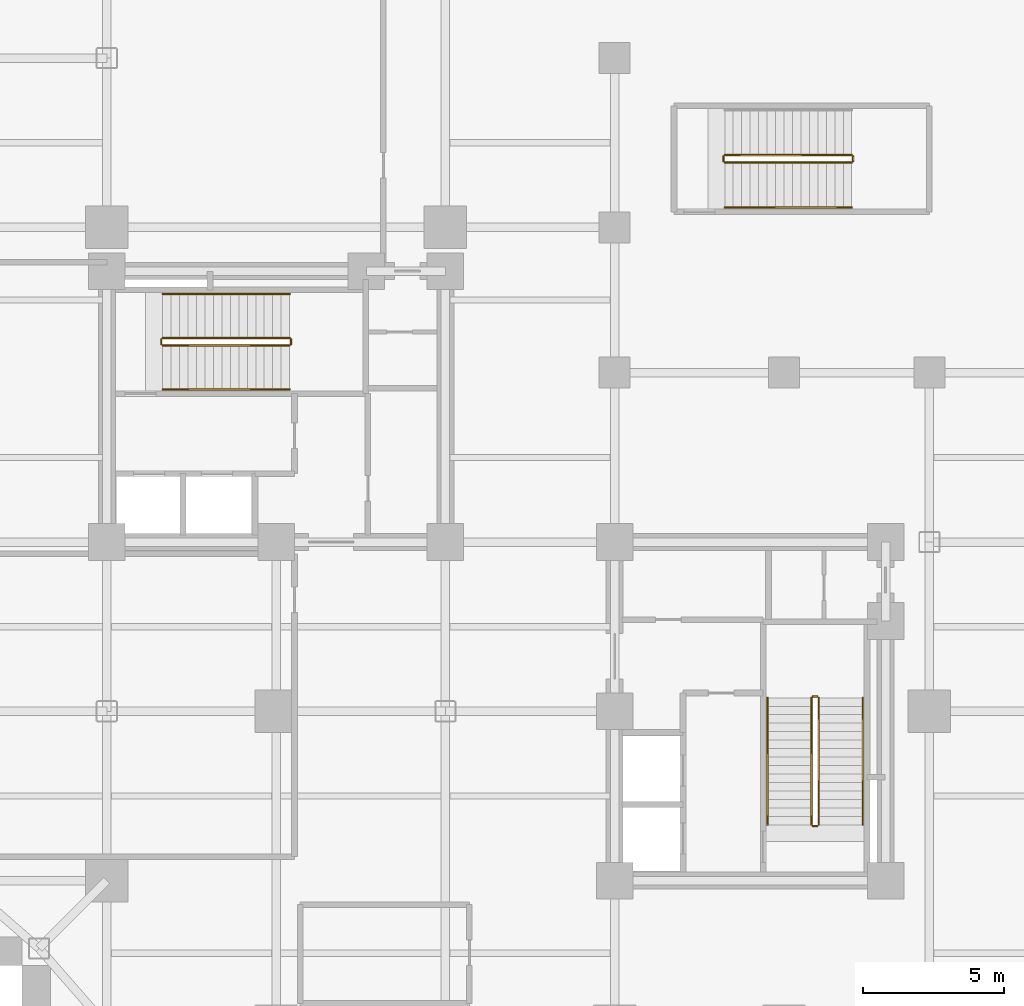
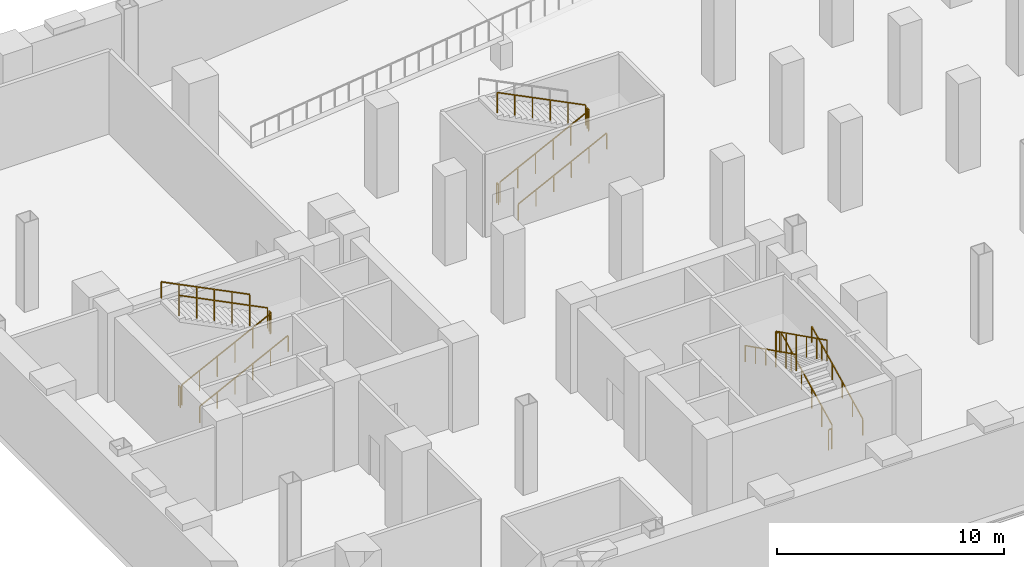
# One storey, part 5 of 6: 17 railings.
"""IFC4 building model written with IfcOpenShell, lengths in metres."""

from ifc_helpers import new_model, si_unit, direction, frame, origin, origin_2d, place, context, subcontext, project, spatial, rectangle, extrude, material, type_object, element, save


model = new_model("IFC4")

# Units and contexts
model_context = context("Model", 3, precision=1e-05, world=origin(), true_north=direction((0.0, 1.0)))
body_context = subcontext(model_context, "Body", "Model", "MODEL_VIEW")
ifc_project = project(units=[si_unit("LENGTHUNIT", "METRE"), si_unit("AREAUNIT", "SQUARE_METRE"), si_unit("VOLUMEUNIT", "CUBIC_METRE"), si_unit("PLANEANGLEUNIT", "RADIAN"), si_unit("MASSUNIT", "GRAM", prefix="KILO"), si_unit("THERMODYNAMICTEMPERATUREUNIT", "KELVIN"), si_unit("POWERUNIT", "WATT")], contexts=[model_context])

# Site, building, storey
site_placement = place(None, origin())
site = spatial("IfcSite", under=ifc_project, at=site_placement, CompositionType="ELEMENT")
building_placement = place(site_placement, origin())
building = spatial("IfcBuilding", under=site, at=building_placement, Name="Svarakhadi Broadcast Tower", CompositionType="ELEMENT")
storey_placement = place(building_placement, frame((0.0, 0.0, -4.800048828125)))
storey = spatial("IfcBuildingStorey", under=building, at=storey_placement, Name="B01", CompositionType="ELEMENT", Elevation=-4.800048828125)

# Railings
ifc_material = material(Name="Anodised Bronze Aluminium AA 6063-T6", Category="aluminium")
railing_type_1 = type_object("IfcRailingType", Name="Guard_Stair_GR01", PredefinedType="GUARDRAIL", material=ifc_material)
railing_1_placement = place(storey_placement, frame((7.97998046875, 24.969970703125, 0.150146484375)))
element("IfcRailing", 1, at=railing_1_placement, inside=storey, type_object=railing_type_1, Name="B01 ST-01 stair guard 1", PredefinedType="GUARDRAIL", context=body_context, shape_type="SweptSolid", body=[
    extrude(rectangle(XDim=0.048095703125, YDim=0.048095703125, at=origin_2d()), frame((0.0, 0.0, 1.09619140625), z_axis=(0.894427191, 0.0, 0.4472135955), x_axis=(0.0, 1.0, 0.0)), (0.0, 0.0, 1.0), 5.03125),
    extrude(rectangle(XDim=0.0419921875, YDim=0.0419921875, at=origin_2d()), origin(), (0.0, 0.0, 1.0), 1.072021484375),
    extrude(rectangle(XDim=0.0419921875, YDim=0.0419921875, at=origin_2d()), frame((0.89990234375, 0.0, 0.449951171875)), (0.0, 0.0, 1.0), 1.072021484375),
    extrude(rectangle(XDim=0.0419921875, YDim=0.0419921875, at=origin_2d()), frame((1.800048828125, 0.0, 0.89990234375)), (0.0, 0.0, 1.0), 1.072021484375),
    extrude(rectangle(XDim=0.0419921875, YDim=0.0419921875, at=origin_2d()), frame((2.699951171875, 0.0, 1.35009765625)), (0.0, 0.0, 1.0), 1.072021484375),
    extrude(rectangle(XDim=0.0419921875, YDim=0.0419921875, at=origin_2d()), frame((3.60009765625, 0.0, 1.800048828125)), (0.0, 0.0, 1.0), 1.072021484375),
    extrude(rectangle(XDim=0.0419921875, YDim=0.0419921875, at=origin_2d()), frame((4.5, 0.0, 2.25)), (0.0, 0.0, 1.0), 1.072021484375),
])
railing_2_placement = place(storey_placement, frame((12.530029296875, 25.02001953125, 2.400146484375)))
element("IfcRailing", 2, at=railing_2_placement, inside=storey, type_object=railing_type_1, Name="B01 ST-01 stair guard 2", PredefinedType="GUARDRAIL", context=body_context, shape_type="SweptSolid", body=[
    extrude(rectangle(XDim=0.048095703125, YDim=0.048095703125, at=origin_2d()), frame((0.0, 0.0, 1.09619140625), z_axis=(0.0, 1.0, 0.0), x_axis=(-1.0, 0.0, 0.0)), (0.0, 0.0, 1.0), 0.159912109375),
    extrude(rectangle(XDim=0.0419921875, YDim=0.0419921875, at=origin_2d()), origin(), (0.0, 0.0, 1.0), 1.072021484375),
    extrude(rectangle(XDim=0.0419921875, YDim=0.0419921875, at=origin_2d()), frame((0.0, 0.159912109375, 0.0)), (0.0, 0.0, 1.0), 1.072021484375),
])
railing_3_placement = place(storey_placement, frame((12.47998046875, 25.22998046875, 2.550048828125)))
element("IfcRailing", 3, at=railing_3_placement, inside=storey, type_object=railing_type_1, Name="B01 ST-01 stair guard 3", PredefinedType="GUARDRAIL", context=body_context, shape_type="SweptSolid", body=[
    extrude(rectangle(XDim=0.048095703125, YDim=0.048095703125, at=origin_2d()), frame((0.0, 0.0, 1.09619140625), z_axis=(-0.894427191, 0.0, 0.4472135955), x_axis=(0.0, -1.0, 0.0)), (0.0, 0.0, 1.0), 5.03125),
    extrude(rectangle(XDim=0.0419921875, YDim=0.0419921875, at=origin_2d()), origin(), (0.0, 0.0, 1.0), 1.072021484375),
    extrude(rectangle(XDim=0.0419921875, YDim=0.0419921875, at=origin_2d()), frame((-0.89990234375, 0.0, 0.449951171875)), (0.0, 0.0, 1.0), 1.072021484375),
    extrude(rectangle(XDim=0.0419921875, YDim=0.0419921875, at=origin_2d()), frame((-1.800048828125, 0.0, 0.89990234375)), (0.0, 0.0, 1.0), 1.072021484375),
    extrude(rectangle(XDim=0.0419921875, YDim=0.0419921875, at=origin_2d()), frame((-2.699951171875, 0.0, 1.35009765625)), (0.0, 0.0, 1.0), 1.072021484375),
    extrude(rectangle(XDim=0.0419921875, YDim=0.0419921875, at=origin_2d()), frame((-3.60009765625, 0.0, 1.800048828125)), (0.0, 0.0, 1.0), 1.072021484375),
    extrude(rectangle(XDim=0.0419921875, YDim=0.0419921875, at=origin_2d()), frame((-4.5, 0.0, 2.25)), (0.0, 0.0, 1.0), 1.072021484375),
])
railing_4_placement = place(storey_placement, frame((7.929931640625, 25.02001953125, 0.0)))
element("IfcRailing", 4, at=railing_4_placement, inside=storey, type_object=railing_type_1, Name="B01 ST-01 stair guard 4", PredefinedType="GUARDRAIL", context=body_context, shape_type="SweptSolid", body=[
    extrude(rectangle(XDim=0.048095703125, YDim=0.048095703125, at=origin_2d()), frame((0.0, 0.0, 1.09619140625), z_axis=(0.0, 1.0, 0.0), x_axis=(-1.0, 0.0, 0.0)), (0.0, 0.0, 1.0), 0.159912109375),
    extrude(rectangle(XDim=0.0419921875, YDim=0.0419921875, at=origin_2d()), origin(), (0.0, 0.0, 1.0), 1.072021484375),
    extrude(rectangle(XDim=0.0419921875, YDim=0.0419921875, at=origin_2d()), frame((0.0, 0.159912109375, 0.0)), (0.0, 0.0, 1.0), 1.072021484375),
])
railing_5_placement = place(storey_placement, frame((31.22998046875, 7.97998046875, 0.150146484375)))
element("IfcRailing", 5, at=railing_5_placement, inside=storey, type_object=railing_type_1, Name="B01 ST-02 stair guard 1", PredefinedType="GUARDRAIL", context=body_context, shape_type="SweptSolid", body=[
    extrude(rectangle(XDim=0.048095703125, YDim=0.048095703125, at=origin_2d()), frame((0.0, 0.0, 1.09619140625), z_axis=(0.0, 0.894427191, 0.4472135955), x_axis=(-1.0, 0.0, 0.0)), (0.0, 0.0, 1.0), 5.03125),
    extrude(rectangle(XDim=0.0419921875, YDim=0.0419921875, at=origin_2d()), origin(), (0.0, 0.0, 1.0), 1.072021484375),
    extrude(rectangle(XDim=0.0419921875, YDim=0.0419921875, at=origin_2d()), frame((0.0, 0.89990234375, 0.449951171875)), (0.0, 0.0, 1.0), 1.072021484375),
    extrude(rectangle(XDim=0.0419921875, YDim=0.0419921875, at=origin_2d()), frame((0.0, 1.800048828125, 0.89990234375)), (0.0, 0.0, 1.0), 1.072021484375),
    extrude(rectangle(XDim=0.0419921875, YDim=0.0419921875, at=origin_2d()), frame((0.0, 2.699951171875, 1.35009765625)), (0.0, 0.0, 1.0), 1.072021484375),
    extrude(rectangle(XDim=0.0419921875, YDim=0.0419921875, at=origin_2d()), frame((0.0, 3.60009765625, 1.800048828125)), (0.0, 0.0, 1.0), 1.072021484375),
    extrude(rectangle(XDim=0.0419921875, YDim=0.0419921875, at=origin_2d()), frame((0.0, 4.5, 2.25)), (0.0, 0.0, 1.0), 1.072021484375),
])
railing_6_placement = place(storey_placement, frame((31.179931640625, 12.530029296875, 2.400146484375)))
element("IfcRailing", 6, at=railing_6_placement, inside=storey, type_object=railing_type_1, Name="B01 ST-02 stair guard 2", PredefinedType="GUARDRAIL", context=body_context, shape_type="SweptSolid", body=[
    extrude(rectangle(XDim=0.048095703125, YDim=0.048095703125, at=origin_2d()), frame((0.0, 0.0, 1.09619140625), z_axis=(-1.0, 0.0, 0.0), x_axis=(0.0, -1.0, 0.0)), (0.0, 0.0, 1.0), 0.159912109375),
    extrude(rectangle(XDim=0.0419921875, YDim=0.0419921875, at=origin_2d()), origin(), (0.0, 0.0, 1.0), 1.072021484375),
    extrude(rectangle(XDim=0.0419921875, YDim=0.0419921875, at=origin_2d()), frame((-0.159912109375, 0.0, 0.0)), (0.0, 0.0, 1.0), 1.072021484375),
])
railing_7_placement = place(storey_placement, frame((30.969970703125, 12.47998046875, 2.550048828125)))
element("IfcRailing", 7, at=railing_7_placement, inside=storey, type_object=railing_type_1, Name="B01 ST-02 stair guard 3", PredefinedType="GUARDRAIL", context=body_context, shape_type="SweptSolid", body=[
    extrude(rectangle(XDim=0.048095703125, YDim=0.048095703125, at=origin_2d()), frame((0.0, 0.0, 1.09619140625), z_axis=(0.0, -0.894427191, 0.4472135955), x_axis=(1.0, 0.0, 0.0)), (0.0, 0.0, 1.0), 5.03125),
    extrude(rectangle(XDim=0.0419921875, YDim=0.0419921875, at=origin_2d()), origin(), (0.0, 0.0, 1.0), 1.072021484375),
    extrude(rectangle(XDim=0.0419921875, YDim=0.0419921875, at=origin_2d()), frame((0.0, -0.89990234375, 0.449951171875)), (0.0, 0.0, 1.0), 1.072021484375),
    extrude(rectangle(XDim=0.0419921875, YDim=0.0419921875, at=origin_2d()), frame((0.0, -1.800048828125, 0.89990234375)), (0.0, 0.0, 1.0), 1.072021484375),
    extrude(rectangle(XDim=0.0419921875, YDim=0.0419921875, at=origin_2d()), frame((0.0, -2.699951171875, 1.35009765625)), (0.0, 0.0, 1.0), 1.072021484375),
    extrude(rectangle(XDim=0.0419921875, YDim=0.0419921875, at=origin_2d()), frame((0.0, -3.60009765625, 1.800048828125)), (0.0, 0.0, 1.0), 1.072021484375),
    extrude(rectangle(XDim=0.0419921875, YDim=0.0419921875, at=origin_2d()), frame((0.0, -4.5, 2.25)), (0.0, 0.0, 1.0), 1.072021484375),
])
railing_8_placement = place(storey_placement, frame((31.179931640625, 7.929931640625, 0.0)))
element("IfcRailing", 8, at=railing_8_placement, inside=storey, type_object=railing_type_1, Name="B01 ST-02 stair guard 4", PredefinedType="GUARDRAIL", context=body_context, shape_type="SweptSolid", body=[
    extrude(rectangle(XDim=0.048095703125, YDim=0.048095703125, at=origin_2d()), frame((0.0, 0.0, 1.09619140625), z_axis=(-1.0, 0.0, 0.0), x_axis=(0.0, -1.0, 0.0)), (0.0, 0.0, 1.0), 0.159912109375),
    extrude(rectangle(XDim=0.0419921875, YDim=0.0419921875, at=origin_2d()), origin(), (0.0, 0.0, 1.0), 1.072021484375),
    extrude(rectangle(XDim=0.0419921875, YDim=0.0419921875, at=origin_2d()), frame((-0.159912109375, 0.0, 0.0)), (0.0, 0.0, 1.0), 1.072021484375),
])
railing_9_placement = place(storey_placement, frame((27.89990234375, 31.449951171875, 0.150146484375)))
element("IfcRailing", 9, at=railing_9_placement, inside=storey, type_object=railing_type_1, Name="B01 ST-03 stair guard 1", PredefinedType="GUARDRAIL", context=body_context, shape_type="SweptSolid", body=[
    extrude(rectangle(XDim=0.048095703125, YDim=0.048095703125, at=origin_2d()), frame((0.0, 0.0, 1.09619140625), z_axis=(0.894427191, 0.0, 0.4472135955), x_axis=(0.0, 1.0, 0.0)), (0.0, 0.0, 1.0), 5.03125),
    extrude(rectangle(XDim=0.0419921875, YDim=0.0419921875, at=origin_2d()), origin(), (0.0, 0.0, 1.0), 1.072021484375),
    extrude(rectangle(XDim=0.0419921875, YDim=0.0419921875, at=origin_2d()), frame((0.89990234375, 0.0, 0.449951171875)), (0.0, 0.0, 1.0), 1.072021484375),
    extrude(rectangle(XDim=0.0419921875, YDim=0.0419921875, at=origin_2d()), frame((1.800048828125, 0.0, 0.89990234375)), (0.0, 0.0, 1.0), 1.072021484375),
    extrude(rectangle(XDim=0.0419921875, YDim=0.0419921875, at=origin_2d()), frame((2.699951171875, 0.0, 1.35009765625)), (0.0, 0.0, 1.0), 1.072021484375),
    extrude(rectangle(XDim=0.0419921875, YDim=0.0419921875, at=origin_2d()), frame((3.60009765625, 0.0, 1.800048828125)), (0.0, 0.0, 1.0), 1.072021484375),
    extrude(rectangle(XDim=0.0419921875, YDim=0.0419921875, at=origin_2d()), frame((4.5, 0.0, 2.25)), (0.0, 0.0, 1.0), 1.072021484375),
])
railing_10_placement = place(storey_placement, frame((32.449951171875, 31.5, 2.400146484375)))
element("IfcRailing", 10, at=railing_10_placement, inside=storey, type_object=railing_type_1, Name="B01 ST-03 stair guard 2", PredefinedType="GUARDRAIL", context=body_context, shape_type="SweptSolid", body=[
    extrude(rectangle(XDim=0.048095703125, YDim=0.048095703125, at=origin_2d()), frame((0.0, 0.0, 1.09619140625), z_axis=(0.0, 1.0, 0.0), x_axis=(-1.0, 0.0, 0.0)), (0.0, 0.0, 1.0), 0.159912109375),
    extrude(rectangle(XDim=0.0419921875, YDim=0.0419921875, at=origin_2d()), origin(), (0.0, 0.0, 1.0), 1.072021484375),
    extrude(rectangle(XDim=0.0419921875, YDim=0.0419921875, at=origin_2d()), frame((0.0, 0.159912109375, 0.0)), (0.0, 0.0, 1.0), 1.072021484375),
])
railing_11_placement = place(storey_placement, frame((32.39990234375, 31.7099609375, 2.550048828125)))
element("IfcRailing", 11, at=railing_11_placement, inside=storey, type_object=railing_type_1, Name="B01 ST-03 stair guard 3", PredefinedType="GUARDRAIL", context=body_context, shape_type="SweptSolid", body=[
    extrude(rectangle(XDim=0.048095703125, YDim=0.048095703125, at=origin_2d()), frame((0.0, 0.0, 1.09619140625), z_axis=(-0.894427191, 0.0, 0.4472135955), x_axis=(0.0, -1.0, 0.0)), (0.0, 0.0, 1.0), 5.03125),
    extrude(rectangle(XDim=0.0419921875, YDim=0.0419921875, at=origin_2d()), origin(), (0.0, 0.0, 1.0), 1.072021484375),
    extrude(rectangle(XDim=0.0419921875, YDim=0.0419921875, at=origin_2d()), frame((-0.89990234375, 0.0, 0.449951171875)), (0.0, 0.0, 1.0), 1.072021484375),
    extrude(rectangle(XDim=0.0419921875, YDim=0.0419921875, at=origin_2d()), frame((-1.800048828125, 0.0, 0.89990234375)), (0.0, 0.0, 1.0), 1.072021484375),
    extrude(rectangle(XDim=0.0419921875, YDim=0.0419921875, at=origin_2d()), frame((-2.699951171875, 0.0, 1.35009765625)), (0.0, 0.0, 1.0), 1.072021484375),
    extrude(rectangle(XDim=0.0419921875, YDim=0.0419921875, at=origin_2d()), frame((-3.60009765625, 0.0, 1.800048828125)), (0.0, 0.0, 1.0), 1.072021484375),
    extrude(rectangle(XDim=0.0419921875, YDim=0.0419921875, at=origin_2d()), frame((-4.5, 0.0, 2.25)), (0.0, 0.0, 1.0), 1.072021484375),
])
railing_12_placement = place(storey_placement, frame((27.85009765625, 31.5, 0.0)))
element("IfcRailing", 12, at=railing_12_placement, inside=storey, type_object=railing_type_1, Name="B01 ST-03 stair guard 4", PredefinedType="GUARDRAIL", context=body_context, shape_type="SweptSolid", body=[
    extrude(rectangle(XDim=0.048095703125, YDim=0.048095703125, at=origin_2d()), frame((0.0, 0.0, 1.09619140625), z_axis=(0.0, 1.0, 0.0), x_axis=(-1.0, 0.0, 0.0)), (0.0, 0.0, 1.0), 0.159912109375),
    extrude(rectangle(XDim=0.0419921875, YDim=0.0419921875, at=origin_2d()), origin(), (0.0, 0.0, 1.0), 1.072021484375),
    extrude(rectangle(XDim=0.0419921875, YDim=0.0419921875, at=origin_2d()), frame((0.0, 0.159912109375, 0.0)), (0.0, 0.0, 1.0), 1.072021484375),
])
railing_type_2 = type_object("IfcRailingType", Name="Handrail_Stair_HR01", PredefinedType="HANDRAIL", material=ifc_material)
railing_13_placement = place(storey_placement, frame((7.97998046875, 23.409912109375, 0.150146484375)))
element("IfcRailing", 13, at=railing_13_placement, inside=storey, type_object=railing_type_2, Name="B01 ST-01 stair handrail 1", PredefinedType="HANDRAIL", context=body_context, shape_type="SweptSolid", body=[
    extrude(rectangle(XDim=0.048095703125, YDim=0.048095703125, at=origin_2d()), frame((0.0, 0.0, 0.8759765625), z_axis=(0.894427191, 0.0, 0.4472135955), x_axis=(0.0, 1.0, 0.0)), (0.0, 0.0, 1.0), 5.03125),
    extrude(rectangle(XDim=0.0419921875, YDim=0.0419921875, at=origin_2d()), origin(), (0.0, 0.0, 1.0), 0.851806640625),
    extrude(rectangle(XDim=0.0419921875, YDim=0.0419921875, at=origin_2d()), frame((0.89990234375, 0.0, 0.449951171875)), (0.0, 0.0, 1.0), 0.851806640625),
    extrude(rectangle(XDim=0.0419921875, YDim=0.0419921875, at=origin_2d()), frame((1.800048828125, 0.0, 0.89990234375)), (0.0, 0.0, 1.0), 0.851806640625),
    extrude(rectangle(XDim=0.0419921875, YDim=0.0419921875, at=origin_2d()), frame((2.699951171875, 0.0, 1.35009765625)), (0.0, 0.0, 1.0), 0.851806640625),
    extrude(rectangle(XDim=0.0419921875, YDim=0.0419921875, at=origin_2d()), frame((3.60009765625, 0.0, 1.800048828125)), (0.0, 0.0, 1.0), 0.851806640625),
    extrude(rectangle(XDim=0.0419921875, YDim=0.0419921875, at=origin_2d()), frame((4.5, 0.0, 2.25)), (0.0, 0.0, 1.0), 0.851806640625),
])
railing_14_placement = place(storey_placement, frame((12.47998046875, 26.7900390625, 2.550048828125)))
element("IfcRailing", 14, at=railing_14_placement, inside=storey, type_object=railing_type_2, Name="B01 ST-01 stair handrail 2", PredefinedType="HANDRAIL", context=body_context, shape_type="SweptSolid", body=[
    extrude(rectangle(XDim=0.048095703125, YDim=0.048095703125, at=origin_2d()), frame((0.0, 0.0, 0.8759765625), z_axis=(-0.894427191, 0.0, 0.4472135955), x_axis=(0.0, -1.0, 0.0)), (0.0, 0.0, 1.0), 5.03125),
    extrude(rectangle(XDim=0.0419921875, YDim=0.0419921875, at=origin_2d()), origin(), (0.0, 0.0, 1.0), 0.851806640625),
    extrude(rectangle(XDim=0.0419921875, YDim=0.0419921875, at=origin_2d()), frame((-0.89990234375, 0.0, 0.449951171875)), (0.0, 0.0, 1.0), 0.851806640625),
    extrude(rectangle(XDim=0.0419921875, YDim=0.0419921875, at=origin_2d()), frame((-1.800048828125, 0.0, 0.89990234375)), (0.0, 0.0, 1.0), 0.851806640625),
    extrude(rectangle(XDim=0.0419921875, YDim=0.0419921875, at=origin_2d()), frame((-2.699951171875, 0.0, 1.35009765625)), (0.0, 0.0, 1.0), 0.851806640625),
    extrude(rectangle(XDim=0.0419921875, YDim=0.0419921875, at=origin_2d()), frame((-3.60009765625, 0.0, 1.800048828125)), (0.0, 0.0, 1.0), 0.851806640625),
    extrude(rectangle(XDim=0.0419921875, YDim=0.0419921875, at=origin_2d()), frame((-4.5, 0.0, 2.25)), (0.0, 0.0, 1.0), 0.851806640625),
])
railing_15_placement = place(storey_placement, frame((32.7900390625, 7.97998046875, 0.150146484375)))
element("IfcRailing", 15, at=railing_15_placement, inside=storey, type_object=railing_type_2, Name="B01 ST-02 stair handrail 1", PredefinedType="HANDRAIL", context=body_context, shape_type="SweptSolid", body=[
    extrude(rectangle(XDim=0.048095703125, YDim=0.048095703125, at=origin_2d()), frame((0.0, 0.0, 0.8759765625), z_axis=(0.0, 0.894427191, 0.4472135955), x_axis=(-1.0, 0.0, 0.0)), (0.0, 0.0, 1.0), 5.03125),
    extrude(rectangle(XDim=0.0419921875, YDim=0.0419921875, at=origin_2d()), origin(), (0.0, 0.0, 1.0), 0.851806640625),
    extrude(rectangle(XDim=0.0419921875, YDim=0.0419921875, at=origin_2d()), frame((0.0, 0.89990234375, 0.449951171875)), (0.0, 0.0, 1.0), 0.851806640625),
    extrude(rectangle(XDim=0.0419921875, YDim=0.0419921875, at=origin_2d()), frame((0.0, 1.800048828125, 0.89990234375)), (0.0, 0.0, 1.0), 0.851806640625),
    extrude(rectangle(XDim=0.0419921875, YDim=0.0419921875, at=origin_2d()), frame((0.0, 2.699951171875, 1.35009765625)), (0.0, 0.0, 1.0), 0.851806640625),
    extrude(rectangle(XDim=0.0419921875, YDim=0.0419921875, at=origin_2d()), frame((0.0, 3.60009765625, 1.800048828125)), (0.0, 0.0, 1.0), 0.851806640625),
    extrude(rectangle(XDim=0.0419921875, YDim=0.0419921875, at=origin_2d()), frame((0.0, 4.5, 2.25)), (0.0, 0.0, 1.0), 0.851806640625),
])
railing_16_placement = place(storey_placement, frame((29.409912109375, 12.47998046875, 2.550048828125)))
element("IfcRailing", 16, at=railing_16_placement, inside=storey, type_object=railing_type_2, Name="B01 ST-02 stair handrail 2", PredefinedType="HANDRAIL", context=body_context, shape_type="SweptSolid", body=[
    extrude(rectangle(XDim=0.048095703125, YDim=0.048095703125, at=origin_2d()), frame((0.0, 0.0, 0.8759765625), z_axis=(0.0, -0.894427191, 0.4472135955), x_axis=(1.0, 0.0, 0.0)), (0.0, 0.0, 1.0), 5.03125),
    extrude(rectangle(XDim=0.0419921875, YDim=0.0419921875, at=origin_2d()), origin(), (0.0, 0.0, 1.0), 0.851806640625),
    extrude(rectangle(XDim=0.0419921875, YDim=0.0419921875, at=origin_2d()), frame((0.0, -0.89990234375, 0.449951171875)), (0.0, 0.0, 1.0), 0.851806640625),
    extrude(rectangle(XDim=0.0419921875, YDim=0.0419921875, at=origin_2d()), frame((0.0, -1.800048828125, 0.89990234375)), (0.0, 0.0, 1.0), 0.851806640625),
    extrude(rectangle(XDim=0.0419921875, YDim=0.0419921875, at=origin_2d()), frame((0.0, -2.699951171875, 1.35009765625)), (0.0, 0.0, 1.0), 0.851806640625),
    extrude(rectangle(XDim=0.0419921875, YDim=0.0419921875, at=origin_2d()), frame((0.0, -3.60009765625, 1.800048828125)), (0.0, 0.0, 1.0), 0.851806640625),
    extrude(rectangle(XDim=0.0419921875, YDim=0.0419921875, at=origin_2d()), frame((0.0, -4.5, 2.25)), (0.0, 0.0, 1.0), 0.851806640625),
])
railing_17_placement = place(storey_placement, frame((27.89990234375, 29.85009765625, 0.150146484375)))
element("IfcRailing", 17, at=railing_17_placement, inside=storey, type_object=railing_type_2, Name="B01 ST-03 stair handrail 1", PredefinedType="HANDRAIL", context=body_context, shape_type="SweptSolid", body=[
    extrude(rectangle(XDim=0.048095703125, YDim=0.048095703125, at=origin_2d()), frame((0.0, 0.0, 0.8759765625), z_axis=(0.894427191, 0.0, 0.4472135955), x_axis=(0.0, 1.0, 0.0)), (0.0, 0.0, 1.0), 5.03125),
    extrude(rectangle(XDim=0.0419921875, YDim=0.0419921875, at=origin_2d()), origin(), (0.0, 0.0, 1.0), 0.851806640625),
    extrude(rectangle(XDim=0.0419921875, YDim=0.0419921875, at=origin_2d()), frame((0.89990234375, 0.0, 0.449951171875)), (0.0, 0.0, 1.0), 0.851806640625),
    extrude(rectangle(XDim=0.0419921875, YDim=0.0419921875, at=origin_2d()), frame((1.800048828125, 0.0, 0.89990234375)), (0.0, 0.0, 1.0), 0.851806640625),
    extrude(rectangle(XDim=0.0419921875, YDim=0.0419921875, at=origin_2d()), frame((2.699951171875, 0.0, 1.35009765625)), (0.0, 0.0, 1.0), 0.851806640625),
    extrude(rectangle(XDim=0.0419921875, YDim=0.0419921875, at=origin_2d()), frame((3.60009765625, 0.0, 1.800048828125)), (0.0, 0.0, 1.0), 0.851806640625),
    extrude(rectangle(XDim=0.0419921875, YDim=0.0419921875, at=origin_2d()), frame((4.5, 0.0, 2.25)), (0.0, 0.0, 1.0), 0.851806640625),
])

save(model, "model.ifc")
